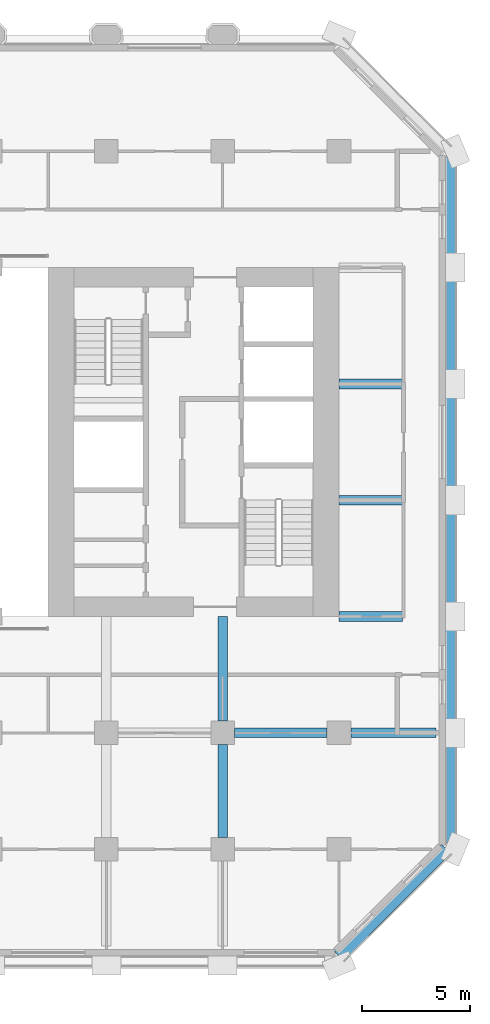
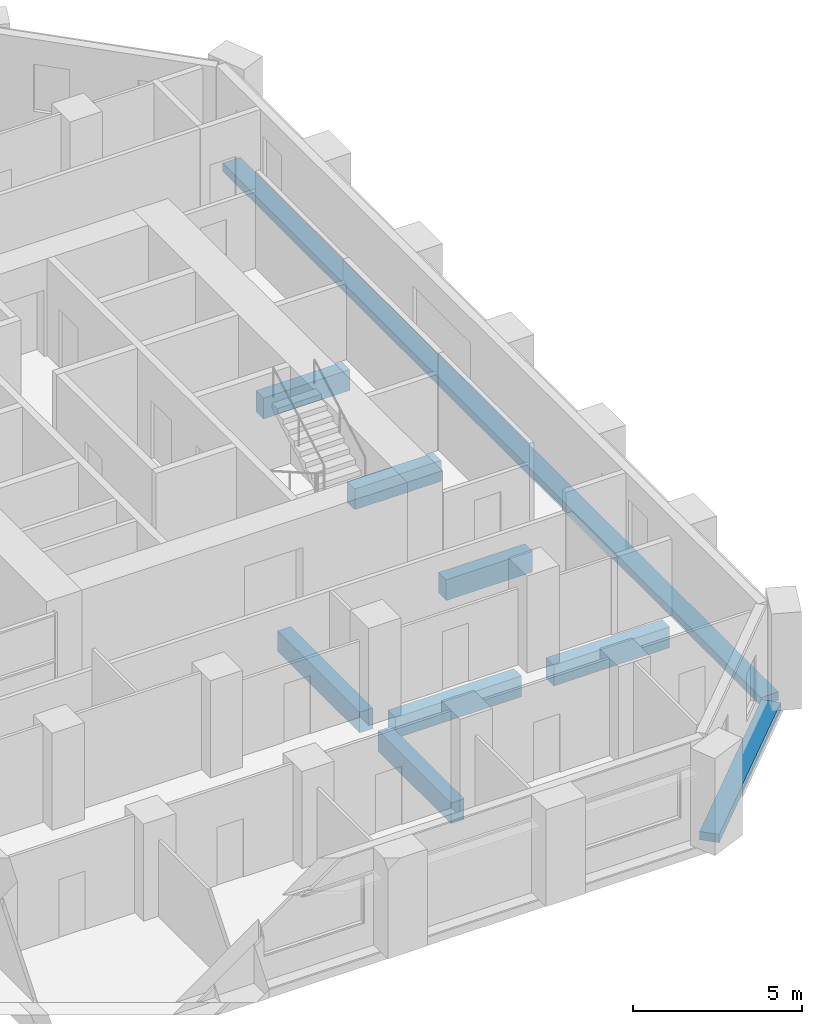
# One storey, part 5 of 14: 9 beams.
"""IFC4 building model written with IfcOpenShell, lengths in metres."""

from ifc_helpers import new_model, si_unit, direction, frame, origin, origin_2d, place, context, subcontext, project, spatial, rectangle, extrude, material, material_profile, profile_set, type_object, element, save


model = new_model("IFC4")

# Units and contexts
model_context = context("Model", 3, precision=1e-05, world=origin(), true_north=direction((0.0, 1.0)))
body_context = subcontext(model_context, "Body", "Model", "MODEL_VIEW")
ifc_project = project(units=[si_unit("LENGTHUNIT", "METRE"), si_unit("AREAUNIT", "SQUARE_METRE"), si_unit("VOLUMEUNIT", "CUBIC_METRE"), si_unit("PLANEANGLEUNIT", "RADIAN"), si_unit("MASSUNIT", "GRAM", prefix="KILO")], contexts=[model_context])

# Site, building, storey
site_placement = place(None, origin())
site = spatial("IfcSite", under=ifc_project, at=site_placement, CompositionType="ELEMENT")
building_placement = place(site_placement, origin())
building = spatial("IfcBuilding", under=site, at=building_placement, Name="Tabaq Tower and Sports Hall", CompositionType="ELEMENT")
storey_placement = place(building_placement, frame((0.0, 0.0, 52.60009765625)))
storey = spatial("IfcBuildingStorey", under=building, at=storey_placement, Name="L11", CompositionType="ELEMENT", Elevation=52.60009765625)

# Beams
ifc_material_1 = material(Name="Concrete C40/50", Category="concrete")
ifc_material_profile_1 = material_profile(ifc_material_1, rectangle(XDim=0.449951171875, YDim=0.75, at=origin_2d()), Name="CB 450x750")
ifc_profile_set_1 = profile_set([ifc_material_profile_1], Name="Concrete C40/50")
beam_type_1 = type_object("IfcBeamType", Name="PT CANTILEVER BEAM CB 450x750 C40/50", PredefinedType="BEAM", material=ifc_profile_set_1)
beam_1_placement = place(storey_placement, frame((47.699951171875, 10.800048828125, -0.675048828125), z_axis=(-1.0, 0.0, 0.0), x_axis=(0.0, -1.0, 0.0)))
element("IfcBeam", 1, at=beam_1_placement, inside=storey, type_object=beam_type_1, Name="Cantilever Beam L11 E2 span 1", PredefinedType="BEAM", context=body_context, shape_type="SweptSolid", body=[
    extrude(rectangle(XDim=0.449951171875, YDim=0.75, at=origin_2d()), origin(), (0.0, 0.0, 1.0), 3.949951171875),
])
beam_2_placement = place(storey_placement, frame((42.64990234375, 10.800048828125, -0.675048828125), z_axis=(-1.0, 0.0, 0.0), x_axis=(0.0, -1.0, 0.0)))
element("IfcBeam", 2, at=beam_2_placement, inside=storey, type_object=beam_type_1, Name="Cantilever Beam L11 E2 span 2", PredefinedType="BEAM", context=body_context, shape_type="SweptSolid", body=[
    extrude(rectangle(XDim=0.449951171875, YDim=0.75, at=origin_2d()), origin(), (0.0, 0.0, 1.0), 4.2998046875),
])
for number, where, z_axis, x_axis, name in (
    (3, (46.14990234375, 16.199951171875, -0.675048828125), (-1.0, 0.0, 0.0), (0.0, -1.0, 0.0), "Cantilever Beam L11 E3 span 1"),
    (4, (46.14990234375, 21.60009765625, -0.675048828125), (-1.0, 0.0, 0.0), (0.0, -1.0, 0.0), "Cantilever Beam L11 E4 span 1"),
    (5, (46.14990234375, 27.0, -0.675048828125), (-1.0, 0.0, 0.0), (0.0, -1.0, 0.0), "Cantilever Beam L11 E5 span 1"),
):
    element("IfcBeam", number, at=place(storey_placement, frame(where, z_axis=z_axis, x_axis=x_axis)), inside=storey, type_object=beam_type_1, Name=name, PredefinedType="BEAM", context=body_context, shape_type="SweptSolid", body=[
        extrude(rectangle(XDim=0.449951171875, YDim=0.75, at=origin_2d()), origin(), (0.0, 0.0, 1.0), 2.949951171875),
    ])
beam_3_placement = place(storey_placement, frame((37.800048828125, 5.949951171875, -0.675048828125), z_axis=(0.0, 1.0, 0.0), x_axis=(-1.0, 0.0, 0.0)))
element("IfcBeam", 6, at=beam_3_placement, inside=storey, type_object=beam_type_1, Name="Cantilever Beam L11 S7 span 2", PredefinedType="BEAM", context=body_context, shape_type="SweptSolid", body=[
    extrude(rectangle(XDim=0.449951171875, YDim=0.75, at=origin_2d()), origin(), (0.0, 0.0, 1.0), 4.300048828125),
])
beam_4_placement = place(storey_placement, frame((37.800048828125, 11.35009765625, -0.675048828125), z_axis=(0.0, 1.0, 0.0), x_axis=(-1.0, 0.0, 0.0)))
element("IfcBeam", 7, at=beam_4_placement, inside=storey, type_object=beam_type_1, Name="Cantilever Beam L11 S7 span 3", PredefinedType="BEAM", context=body_context, shape_type="SweptSolid", body=[
    extrude(rectangle(XDim=0.449951171875, YDim=0.75, at=origin_2d()), origin(), (0.0, 0.0, 1.0), 4.849853515625),
])
ifc_material_2 = material(Name="Concrete C40/50", Category="concrete")
ifc_material_profile_2 = material_profile(ifc_material_2, rectangle(XDim=0.60009765625, YDim=0.300048828125, at=origin_2d()), Name="EB 600x300")
ifc_profile_set_2 = profile_set([ifc_material_profile_2], Name="Concrete C40/50")
beam_type_2 = type_object("IfcBeamType", Name="PT EDGE BEAM EB 600x300 C40/50", PredefinedType="SPANDREL", material=ifc_profile_set_2)
beam_5_placement = place(storey_placement, frame((43.198974609375, 0.42333984375, -0.150146484375), z_axis=(0.707106781187, 0.707106781187, 0.0), x_axis=(-0.707106781187, 0.707106781187, 0.0)))
element("IfcBeam", 8, at=beam_5_placement, inside=storey, type_object=beam_type_2, Name="Edge Beam L11 2", PredefinedType="SPANDREL", context=body_context, shape_type="SweptSolid", body=[
    extrude(rectangle(XDim=0.60009765625, YDim=0.300048828125, at=origin_2d()), origin(), (0.0, 0.0, 1.0), 7.03955078125),
])
beam_6_placement = place(storey_placement, frame((48.300048828125, 5.698486328125, -0.150146484375), z_axis=(0.0, 1.0, 0.0), x_axis=(-1.0, 0.0, 0.0)))
element("IfcBeam", 9, at=beam_6_placement, inside=storey, type_object=beam_type_2, Name="Edge Beam L11 3", PredefinedType="SPANDREL", context=body_context, shape_type="SweptSolid", body=[
    extrude(rectangle(XDim=0.60009765625, YDim=0.300048828125, at=origin_2d()), origin(), (0.0, 0.0, 1.0), 31.802978515625),
])

save(model, "model.ifc")
